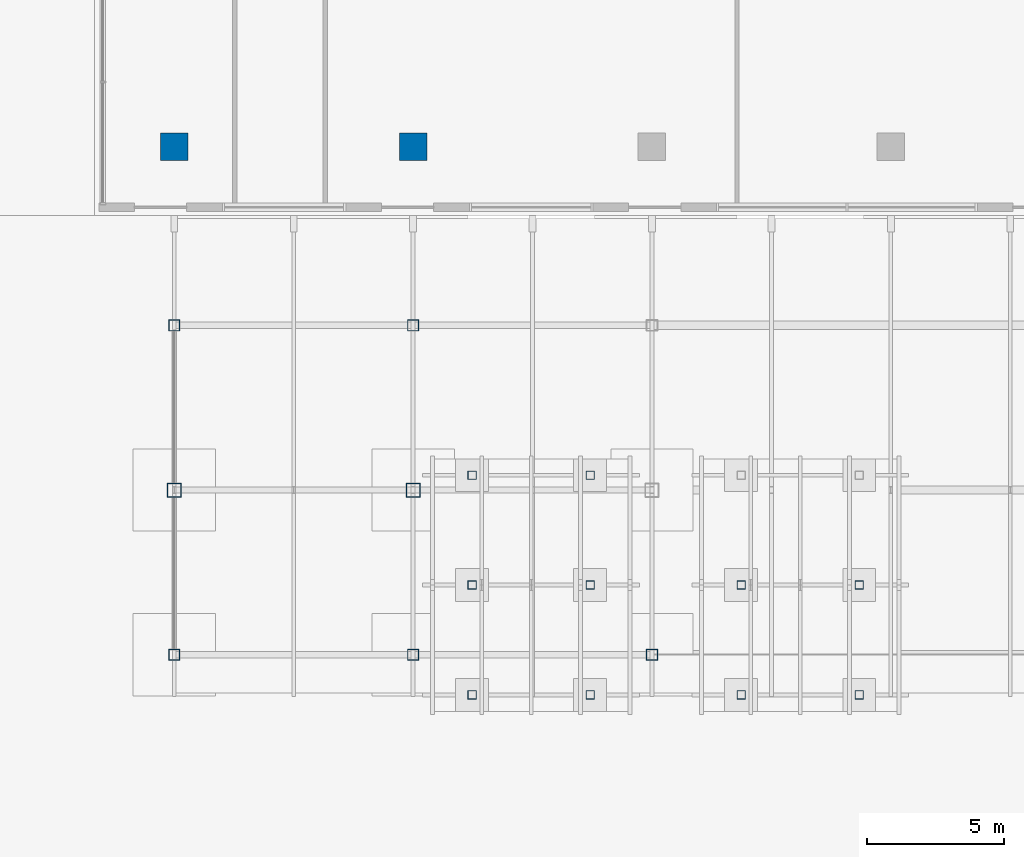
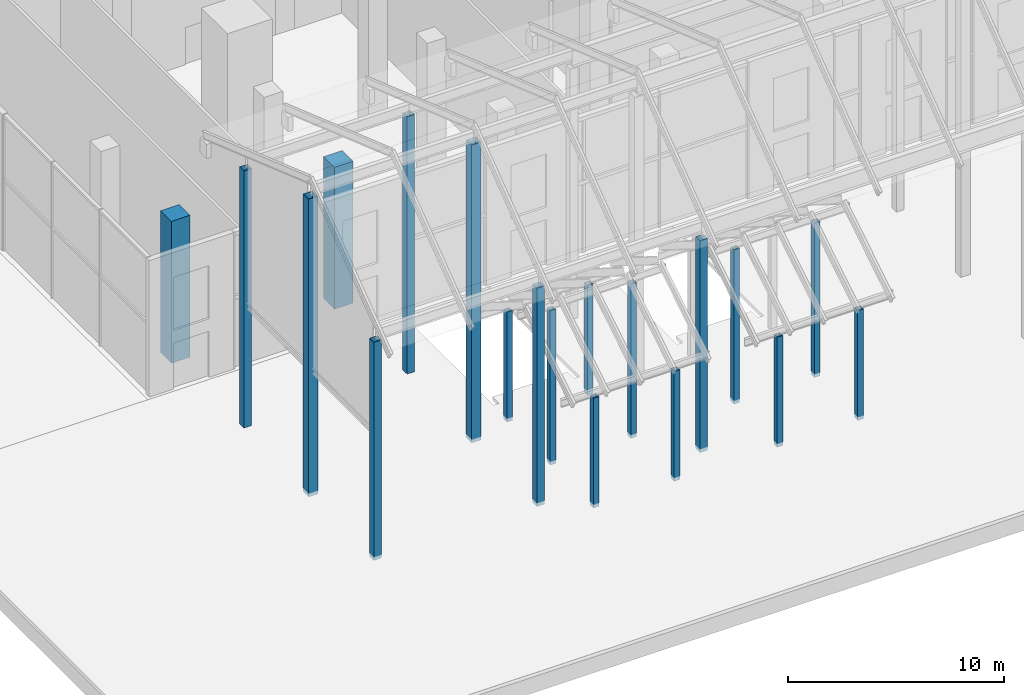
# One storey, part 2 of 31: 19 columns.
"""IFC4 building model written with IfcOpenShell, lengths in metres."""

from ifc_helpers import new_model, si_unit, direction, frame, origin, origin_2d, place, context, subcontext, project, spatial, rectangle, hollow_rectangle, extrude, material, material_profile, profile_set, type_object, element, save


model = new_model("IFC4")

# Units and contexts
model_context = context("Model", 3, precision=1e-05, world=origin(), true_north=direction((0.0, 1.0)))
body_context = subcontext(model_context, "Body", "Model", "MODEL_VIEW")
ifc_project = project(units=[si_unit("LENGTHUNIT", "METRE"), si_unit("AREAUNIT", "SQUARE_METRE"), si_unit("VOLUMEUNIT", "CUBIC_METRE"), si_unit("PLANEANGLEUNIT", "RADIAN"), si_unit("MASSUNIT", "GRAM", prefix="KILO")], contexts=[model_context])

# Site, building, storey
site_placement = place(None, origin())
site = spatial("IfcSite", under=ifc_project, at=site_placement, CompositionType="ELEMENT")
building_placement = place(site_placement, origin())
building = spatial("IfcBuilding", under=site, at=building_placement, Name="Bicima Exchange Tower", CompositionType="ELEMENT")
storey_placement = place(building_placement, origin())
storey = spatial("IfcBuildingStorey", under=building, at=storey_placement, Name="L00", CompositionType="ELEMENT", Elevation=0.0)

# Columns
ifc_material_1 = material(Name="Steel ASTM A572 Gr 50", Category="steel")
ifc_material_profile_1 = material_profile(ifc_material_1, hollow_rectangle(XDim=0.3046875, YDim=0.3046875, WallThickness=0.01171875, at=origin_2d()))
ifc_profile_set_1 = profile_set([ifc_material_profile_1], Name="Steel ASTM A572 Gr 50")
column_type_1 = type_object("IfcColumnType", Name="Pavilion post HSS12x12x1/2", PredefinedType="COLUMN", material=ifc_profile_set_1)
for number, where, z_axis, x_axis, name in (
    (1, (-32.64990234375, -63.4599609375, -0.199951171875), (0.0, 0.0, 1.0), (1.0, 0.0, 0.0), "Pavilion post"),
    (2, (-28.35009765625, -63.4599609375, -0.199951171875), (0.0, 0.0, 1.0), (1.0, 0.0, 0.0), "Pavilion post"),
):
    element("IfcColumn", number, at=place(storey_placement, frame(where, z_axis=z_axis, x_axis=x_axis)), inside=storey, type_object=column_type_1, Name=name, PredefinedType="COLUMN", context=body_context, shape_type="SweptSolid", body=[
        extrude(hollow_rectangle(XDim=0.3046875, YDim=0.3046875, WallThickness=0.01171875, at=origin_2d()), origin(), (0.0, 0.0, 1.0), 6.199951171875),
    ])
for number, where, z_axis, x_axis, name in (
    (3, (-32.64990234375, -67.4599609375, -0.199951171875), (0.0, 0.0, 1.0), (1.0, 0.0, 0.0), "Pavilion post"),
    (4, (-28.35009765625, -67.4599609375, -0.199951171875), (0.0, 0.0, 1.0), (1.0, 0.0, 0.0), "Pavilion post"),
):
    element("IfcColumn", number, at=place(storey_placement, frame(where, z_axis=z_axis, x_axis=x_axis)), inside=storey, type_object=column_type_1, Name=name, PredefinedType="COLUMN", context=body_context, shape_type="SweptSolid", body=[
        extrude(hollow_rectangle(XDim=0.3046875, YDim=0.3046875, WallThickness=0.01171875, at=origin_2d()), origin(), (0.0, 0.0, 1.0), 8.699462890625),
    ])
for number, where, z_axis, x_axis, name in (
    (5, (-32.64990234375, -71.4599609375, -0.199951171875), (0.0, 0.0, 1.0), (1.0, 0.0, 0.0), "Pavilion post"),
    (6, (-28.35009765625, -71.4599609375, -0.199951171875), (0.0, 0.0, 1.0), (1.0, 0.0, 0.0), "Pavilion post"),
):
    element("IfcColumn", number, at=place(storey_placement, frame(where, z_axis=z_axis, x_axis=x_axis)), inside=storey, type_object=column_type_1, Name=name, PredefinedType="COLUMN", context=body_context, shape_type="SweptSolid", body=[
        extrude(hollow_rectangle(XDim=0.3046875, YDim=0.3046875, WallThickness=0.01171875, at=origin_2d()), origin(), (0.0, 0.0, 1.0), 6.199951171875),
    ])
for number, where, z_axis, x_axis, name in (
    (7, (-22.85009765625, -67.4599609375, -0.199951171875), (0.0, 0.0, 1.0), (1.0, 0.0, 0.0), "Pavilion post"),
    (8, (-18.550048828125, -67.4599609375, -0.199951171875), (0.0, 0.0, 1.0), (1.0, 0.0, 0.0), "Pavilion post"),
):
    element("IfcColumn", number, at=place(storey_placement, frame(where, z_axis=z_axis, x_axis=x_axis)), inside=storey, type_object=column_type_1, Name=name, PredefinedType="COLUMN", context=body_context, shape_type="SweptSolid", body=[
        extrude(hollow_rectangle(XDim=0.3046875, YDim=0.3046875, WallThickness=0.01171875, at=origin_2d()), origin(), (0.0, 0.0, 1.0), 8.699462890625),
    ])
for number, where, z_axis, x_axis, name in (
    (9, (-22.85009765625, -71.4599609375, -0.199951171875), (0.0, 0.0, 1.0), (1.0, 0.0, 0.0), "Pavilion post"),
    (10, (-18.550048828125, -71.4599609375, -0.199951171875), (0.0, 0.0, 1.0), (1.0, 0.0, 0.0), "Pavilion post"),
):
    element("IfcColumn", number, at=place(storey_placement, frame(where, z_axis=z_axis, x_axis=x_axis)), inside=storey, type_object=column_type_1, Name=name, PredefinedType="COLUMN", context=body_context, shape_type="SweptSolid", body=[
        extrude(hollow_rectangle(XDim=0.3046875, YDim=0.3046875, WallThickness=0.01171875, at=origin_2d()), origin(), (0.0, 0.0, 1.0), 6.199951171875),
    ])
ifc_material_profile_2 = material_profile(ifc_material_1, hollow_rectangle(XDim=0.406494140625, YDim=0.406494140625, WallThickness=0.0146484375, at=origin_2d()))
ifc_profile_set_2 = profile_set([ifc_material_profile_2], Name="Steel ASTM A572 Gr 50")
column_type_2 = type_object("IfcColumnType", Name="Portico column HSS16x16x5/8", PredefinedType="COLUMN", material=ifc_profile_set_2)
for number, where, z_axis, x_axis, name in (
    (11, (-43.5, -58.0, 0.0), (0.0, 0.0, 1.0), (1.0, 0.0, 0.0), "Portico column"),
    (12, (-34.800048828125, -58.0, 0.0), (0.0, 0.0, 1.0), (1.0, 0.0, 0.0), "Portico column"),
):
    element("IfcColumn", number, at=place(storey_placement, frame(where, z_axis=z_axis, x_axis=x_axis)), inside=storey, type_object=column_type_2, Name=name, PredefinedType="COLUMN", context=body_context, shape_type="SweptSolid", body=[
        extrude(hollow_rectangle(XDim=0.406494140625, YDim=0.406494140625, WallThickness=0.0146484375, at=origin_2d()), origin(), (0.0, 0.0, 1.0), 14.504150390625),
    ])
for number, where, z_axis, x_axis, name in (
    (13, (-43.5, -70.0, -0.199951171875), (0.0, 0.0, 1.0), (1.0, 0.0, 0.0), "Portico column"),
    (14, (-34.800048828125, -70.0, -0.199951171875), (0.0, 0.0, 1.0), (1.0, 0.0, 0.0), "Portico column"),
):
    element("IfcColumn", number, at=place(storey_placement, frame(where, z_axis=z_axis, x_axis=x_axis)), inside=storey, type_object=column_type_2, Name=name, PredefinedType="COLUMN", context=body_context, shape_type="SweptSolid", body=[
        extrude(hollow_rectangle(XDim=0.406494140625, YDim=0.406494140625, WallThickness=0.0146484375, at=origin_2d()), origin(), (0.0, 0.0, 1.0), 12.309326171875),
    ])
column_placement = place(storey_placement, frame((-26.10009765625, -70.0, -0.199951171875), z_axis=(0.0, 0.0, 1.0), x_axis=(1.0, 0.0, 0.0)))
element("IfcColumn", 15, at=column_placement, inside=storey, type_object=column_type_2, Name="Portico column", PredefinedType="COLUMN", context=body_context, shape_type="SweptSolid", body=[
    extrude(hollow_rectangle(XDim=0.406494140625, YDim=0.406494140625, WallThickness=0.0146484375, at=origin_2d()), origin(), (0.0, 0.0, 1.0), 11.94091796875),
])
ifc_material_profile_3 = material_profile(ifc_material_1, hollow_rectangle(XDim=0.508056640625, YDim=0.508056640625, WallThickness=0.017822265625, at=origin_2d()))
ifc_profile_set_3 = profile_set([ifc_material_profile_3], Name="Steel ASTM A572 Gr 50")
column_type_3 = type_object("IfcColumnType", Name="Portico crown column HSS20x20x3/4", PredefinedType="COLUMN", material=ifc_profile_set_3)
for number, where, z_axis, x_axis, name in (
    (16, (-43.5, -64.0, -0.199951171875), (0.0, 0.0, 1.0), (1.0, 0.0, 0.0), "Portico column"),
    (17, (-34.800048828125, -64.0, -0.199951171875), (0.0, 0.0, 1.0), (1.0, 0.0, 0.0), "Portico column"),
):
    element("IfcColumn", number, at=place(storey_placement, frame(where, z_axis=z_axis, x_axis=x_axis)), inside=storey, type_object=column_type_3, Name=name, PredefinedType="COLUMN", context=body_context, shape_type="SweptSolid", body=[
        extrude(hollow_rectangle(XDim=0.508056640625, YDim=0.508056640625, WallThickness=0.017822265625, at=origin_2d()), origin(), (0.0, 0.0, 1.0), 16.796142578125),
    ])
ifc_material_2 = material(Name="Concrete C60/75", Category="concrete")
ifc_material_profile_4 = material_profile(ifc_material_2, rectangle(XDim=1.0, YDim=1.0, at=origin_2d()))
ifc_profile_set_4 = profile_set([ifc_material_profile_4], Name="Concrete C60/75")
column_type_4 = type_object("IfcColumnType", Name="Reinforced concrete podium column 1000 x 1000", PredefinedType="COLUMN", material=ifc_profile_set_4)
for number, where, z_axis, x_axis, name in (
    (18, (-43.5, -51.5, 0.0), (0.0, 0.0, 1.0), (1.0, 0.0, 0.0), "Column"),
    (19, (-34.800048828125, -51.5, 0.0), (0.0, 0.0, 1.0), (1.0, 0.0, 0.0), "Column"),
):
    element("IfcColumn", number, at=place(storey_placement, frame(where, z_axis=z_axis, x_axis=x_axis)), inside=storey, type_object=column_type_4, Name=name, PredefinedType="COLUMN", context=body_context, shape_type="SweptSolid", body=[
        extrude(rectangle(XDim=1.0, YDim=1.0, at=origin_2d()), origin(), (0.0, 0.0, 1.0), 8.0),
    ])

save(model, "model.ifc")
